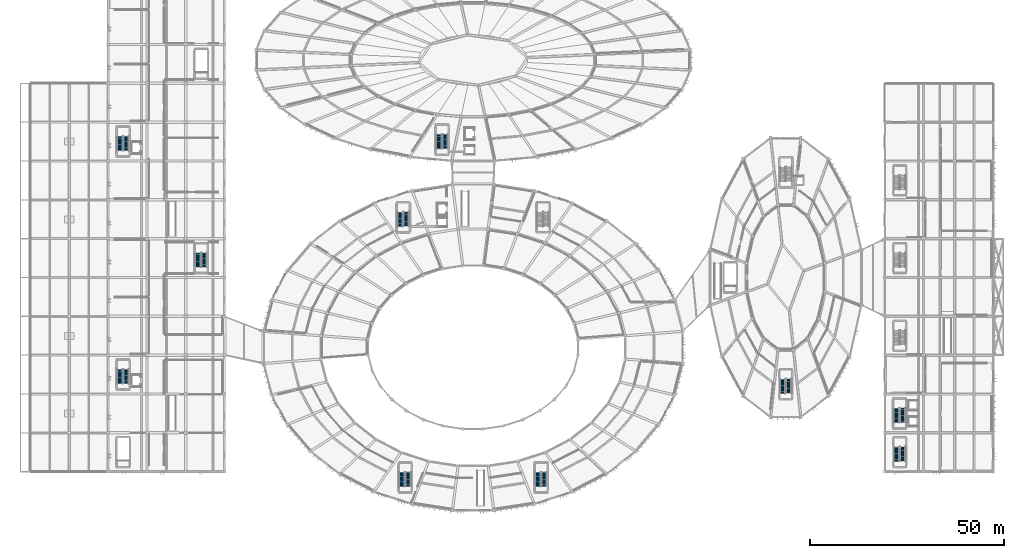
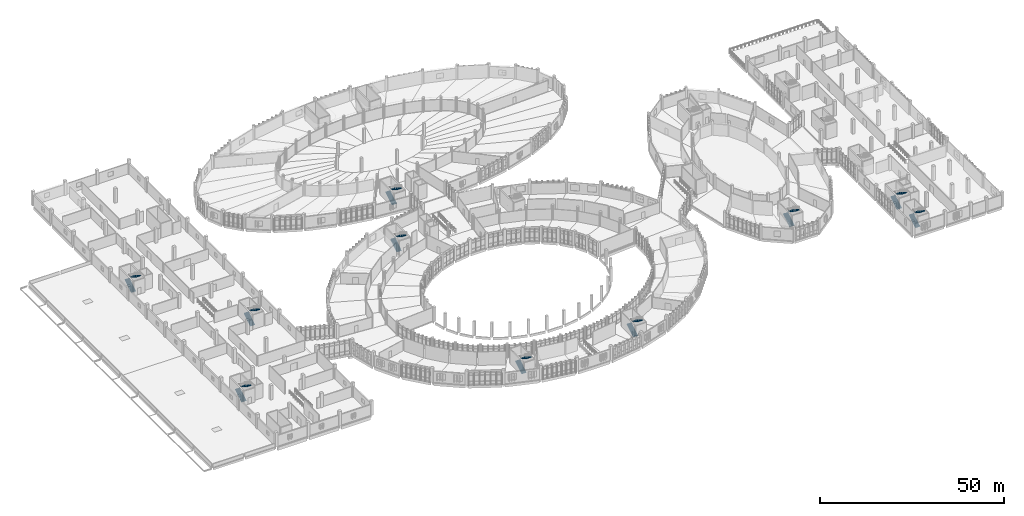
# One storey, part 132 of 179: 20 stair flights, 10 elements without a shape of their own.
"""IFC4 building model written with IfcOpenShell, lengths in metres."""

from ifc_helpers import new_model, si_unit, direction, frame, origin, place, context, subcontext, project, spatial, polyline, outline, extrude, material, layer, layer_set, type_object, element, aggregate, save


model = new_model("IFC4")

# Units and contexts
model_context = context("Model", 3, precision=1e-05, world=origin(), true_north=direction((0.0, 1.0)))
body_context = subcontext(model_context, "Body", "Model", "MODEL_VIEW")
ifc_project = project(units=[si_unit("LENGTHUNIT", "METRE"), si_unit("AREAUNIT", "SQUARE_METRE"), si_unit("VOLUMEUNIT", "CUBIC_METRE"), si_unit("PLANEANGLEUNIT", "RADIAN"), si_unit("MASSUNIT", "GRAM", prefix="KILO")], contexts=[model_context])

# Site, building, storey
site_placement = place(None, origin())
site = spatial("IfcSite", under=ifc_project, at=site_placement, CompositionType="ELEMENT")
building_placement = place(site_placement, origin())
building = spatial("IfcBuilding", under=site, at=building_placement, Name="Corvandel Quay Wholesale Market", CompositionType="ELEMENT")
storey_placement = place(building_placement, frame((0.0, 0.0, 6.0)))
storey = spatial("IfcBuildingStorey", under=building, at=storey_placement, Name="L01", CompositionType="ELEMENT", Elevation=6.0)

# Stair, stair flights
ifc_material = material(Name="Concrete C40/50", Category="concrete")
stair_type = type_object("IfcStairType", Name="Exit Stair Two-Return L01-L02 ST02", PredefinedType="USERDEFINED", material=ifc_material)
stair_1_placement = place(storey_placement, origin())
stair_1 = element("IfcStair", 1, at=stair_1_placement, inside=storey, type_object=stair_type, Name="Exit Stair STR-002", ObjectType="TWO_RETURN_STAIR", PredefinedType="USERDEFINED")
ifc_layer = layer(ifc_material, 0.199951171875)
ifc_layer_set = layer_set([ifc_layer], Name="Concrete C40/50")
stair_flight_type = type_object("IfcStairFlightType", Name="Precast Stair Flight FL02 W1480", PredefinedType="STRAIGHT", material=ifc_layer_set)
stair_flight_1_placement = place(storey_placement, frame((95.199951171875, 73.14990234375, 0.0), z_axis=(0.0, 0.0, 1.0), x_axis=(0.0, 1.0, 0.0)))
stair_flight_1 = element("IfcStairFlight", 2, at=stair_flight_1_placement, type_object=stair_flight_type, Name="Stair Flight STR-002-F1", NumberOfRisers=14, NumberOfTreads=13, PredefinedType="STRAIGHT", RiserHeight=0.171429, TreadLength=0.28, context=body_context, shape_type="SweptSolid", body=[
    extrude(outline(polyline([(0.0, 0.0), (0.0, 0.17138671875), (0.280029296875, 0.17138671875), (0.280029296875, 0.3427734375), (0.56005859375, 0.3427734375), (0.56005859375, 0.514404296875), (0.840087890625, 0.514404296875), (0.840087890625, 0.685791015625), (1.1201171875, 0.685791015625), (1.1201171875, 0.857177734375), (1.39990234375, 0.857177734375), (1.39990234375, 1.028564453125), (1.679931640625, 1.028564453125), (1.679931640625, 1.199951171875), (1.9599609375, 1.199951171875), (1.9599609375, 1.371337890625), (2.239990234375, 1.371337890625), (2.239990234375, 1.54296875), (2.52001953125, 1.54296875), (2.52001953125, 1.71435546875), (2.800048828125, 1.71435546875), (2.800048828125, 1.8857421875), (3.080078125, 1.8857421875), (3.080078125, 2.05712890625), (3.360107421875, 2.05712890625), (3.360107421875, 2.228515625), (3.639892578125, 2.228515625), (3.639892578125, 2.39990234375), (3.639892578125, 2.052734375), (0.287109375, 0.0), (0.0, 0.0)])), frame((0.0, 0.739990234375, 0.0), z_axis=(0.0, -1.0, 0.0), x_axis=(1.0, 0.0, 0.0)), (0.0, 0.0, 1.0), 1.47998046875),
])
stair_flight_2_placement = place(storey_placement, frame((96.800048828125, 76.860107421875, 2.39990234375), z_axis=(0.0, 0.0, 1.0), x_axis=(0.0, -1.0, 0.0)))
stair_flight_2 = element("IfcStairFlight", 3, at=stair_flight_2_placement, type_object=stair_flight_type, Name="Stair Flight STR-002-F2", NumberOfRisers=14, NumberOfTreads=13, PredefinedType="STRAIGHT", RiserHeight=0.171429, TreadLength=0.28, context=body_context, shape_type="SweptSolid", body=[
    extrude(outline(polyline([(0.0, 0.0), (0.0, 0.17138671875), (0.280029296875, 0.17138671875), (0.280029296875, 0.3427734375), (0.56005859375, 0.3427734375), (0.56005859375, 0.514404296875), (0.840087890625, 0.514404296875), (0.840087890625, 0.685791015625), (1.1201171875, 0.685791015625), (1.1201171875, 0.857177734375), (1.39990234375, 0.857177734375), (1.39990234375, 1.028564453125), (1.679931640625, 1.028564453125), (1.679931640625, 1.199951171875), (1.9599609375, 1.199951171875), (1.9599609375, 1.371337890625), (2.239990234375, 1.371337890625), (2.239990234375, 1.54296875), (2.52001953125, 1.54296875), (2.52001953125, 1.71435546875), (2.800048828125, 1.71435546875), (2.800048828125, 1.8857421875), (3.080078125, 1.8857421875), (3.080078125, 2.05712890625), (3.360107421875, 2.05712890625), (3.360107421875, 2.228515625), (3.639892578125, 2.228515625), (3.639892578125, 2.39990234375), (3.639892578125, 2.052734375), (0.287109375, 0.0), (0.0, 0.0)])), frame((0.0, 0.739990234375, 0.0), z_axis=(0.0, -1.0, 0.0), x_axis=(1.0, 0.0, 0.0)), (0.0, 0.0, 1.0), 1.47998046875),
])
aggregate(stair_1, [stair_flight_1, stair_flight_2])

stair_2_placement = place(storey_placement, origin())
stair_2 = element("IfcStair", 4, at=stair_2_placement, inside=storey, type_object=stair_type, Name="Exit Stair STR-006", ObjectType="TWO_RETURN_STAIR", PredefinedType="USERDEFINED")
stair_flight_3_placement = place(storey_placement, frame((95.699951171875, 6.14990234375, 0.0), z_axis=(0.0, 0.0, 1.0), x_axis=(0.0, 1.0, 0.0)))
stair_flight_3 = element("IfcStairFlight", 5, at=stair_flight_3_placement, type_object=stair_flight_type, Name="Stair Flight STR-006-F1", NumberOfRisers=14, NumberOfTreads=13, PredefinedType="STRAIGHT", RiserHeight=0.171429, TreadLength=0.28, context=body_context, shape_type="SweptSolid", body=[
    extrude(outline(polyline([(0.0, 0.0), (0.0, 0.17138671875), (0.280029296875, 0.17138671875), (0.280029296875, 0.3427734375), (0.56005859375, 0.3427734375), (0.56005859375, 0.514404296875), (0.840087890625, 0.514404296875), (0.840087890625, 0.685791015625), (1.1201171875, 0.685791015625), (1.1201171875, 0.857177734375), (1.39990234375, 0.857177734375), (1.39990234375, 1.028564453125), (1.679931640625, 1.028564453125), (1.679931640625, 1.199951171875), (1.9599609375, 1.199951171875), (1.9599609375, 1.371337890625), (2.239990234375, 1.371337890625), (2.239990234375, 1.54296875), (2.52001953125, 1.54296875), (2.52001953125, 1.71435546875), (2.800048828125, 1.71435546875), (2.800048828125, 1.8857421875), (3.080078125, 1.8857421875), (3.080078125, 2.05712890625), (3.360107421875, 2.05712890625), (3.360107421875, 2.228515625), (3.639892578125, 2.228515625), (3.639892578125, 2.39990234375), (3.639892578125, 2.052734375), (0.287109375, 0.0), (0.0, 0.0)])), frame((0.0, 0.739990234375, 0.0), z_axis=(0.0, -1.0, 0.0), x_axis=(1.0, 0.0, 0.0)), (0.0, 0.0, 1.0), 1.47998046875),
])
stair_flight_4_placement = place(storey_placement, frame((97.300048828125, 9.860107421875, 2.39990234375), z_axis=(0.0, 0.0, 1.0), x_axis=(0.0, -1.0, 0.0)))
stair_flight_4 = element("IfcStairFlight", 6, at=stair_flight_4_placement, type_object=stair_flight_type, Name="Stair Flight STR-006-F2", NumberOfRisers=14, NumberOfTreads=13, PredefinedType="STRAIGHT", RiserHeight=0.171429, TreadLength=0.28, context=body_context, shape_type="SweptSolid", body=[
    extrude(outline(polyline([(0.0, 0.0), (0.0, 0.17138671875), (0.280029296875, 0.17138671875), (0.280029296875, 0.3427734375), (0.56005859375, 0.3427734375), (0.56005859375, 0.514404296875), (0.840087890625, 0.514404296875), (0.840087890625, 0.685791015625), (1.1201171875, 0.685791015625), (1.1201171875, 0.857177734375), (1.39990234375, 0.857177734375), (1.39990234375, 1.028564453125), (1.679931640625, 1.028564453125), (1.679931640625, 1.199951171875), (1.9599609375, 1.199951171875), (1.9599609375, 1.371337890625), (2.239990234375, 1.371337890625), (2.239990234375, 1.54296875), (2.52001953125, 1.54296875), (2.52001953125, 1.71435546875), (2.800048828125, 1.71435546875), (2.800048828125, 1.8857421875), (3.080078125, 1.8857421875), (3.080078125, 2.05712890625), (3.360107421875, 2.05712890625), (3.360107421875, 2.228515625), (3.639892578125, 2.228515625), (3.639892578125, 2.39990234375), (3.639892578125, 2.052734375), (0.287109375, 0.0), (0.0, 0.0)])), frame((0.0, 0.739990234375, 0.0), z_axis=(0.0, -1.0, 0.0), x_axis=(1.0, 0.0, 0.0)), (0.0, 0.0, 1.0), 1.47998046875),
])
aggregate(stair_2, [stair_flight_3, stair_flight_4])

stair_3_placement = place(storey_placement, origin())
stair_3 = element("IfcStair", 7, at=stair_3_placement, inside=storey, type_object=stair_type, Name="Exit Stair STR-008", ObjectType="TWO_RETURN_STAIR", PredefinedType="USERDEFINED")
stair_flight_5_placement = place(storey_placement, frame((130.699951171875, 6.14990234375, 0.0), z_axis=(0.0, 0.0, 1.0), x_axis=(0.0, 1.0, 0.0)))
stair_flight_5 = element("IfcStairFlight", 8, at=stair_flight_5_placement, type_object=stair_flight_type, Name="Stair Flight STR-008-F1", NumberOfRisers=14, NumberOfTreads=13, PredefinedType="STRAIGHT", RiserHeight=0.171429, TreadLength=0.28, context=body_context, shape_type="SweptSolid", body=[
    extrude(outline(polyline([(0.0, 0.0), (0.0, 0.17138671875), (0.280029296875, 0.17138671875), (0.280029296875, 0.3427734375), (0.56005859375, 0.3427734375), (0.56005859375, 0.514404296875), (0.840087890625, 0.514404296875), (0.840087890625, 0.685791015625), (1.1201171875, 0.685791015625), (1.1201171875, 0.857177734375), (1.39990234375, 0.857177734375), (1.39990234375, 1.028564453125), (1.679931640625, 1.028564453125), (1.679931640625, 1.199951171875), (1.9599609375, 1.199951171875), (1.9599609375, 1.371337890625), (2.239990234375, 1.371337890625), (2.239990234375, 1.54296875), (2.52001953125, 1.54296875), (2.52001953125, 1.71435546875), (2.800048828125, 1.71435546875), (2.800048828125, 1.8857421875), (3.080078125, 1.8857421875), (3.080078125, 2.05712890625), (3.360107421875, 2.05712890625), (3.360107421875, 2.228515625), (3.639892578125, 2.228515625), (3.639892578125, 2.39990234375), (3.639892578125, 2.052734375), (0.287109375, 0.0), (0.0, 0.0)])), frame((0.0, 0.739990234375, 0.0), z_axis=(0.0, -1.0, 0.0), x_axis=(1.0, 0.0, 0.0)), (0.0, 0.0, 1.0), 1.47998046875),
])
stair_flight_6_placement = place(storey_placement, frame((132.300048828125, 9.860107421875, 2.39990234375), z_axis=(0.0, 0.0, 1.0), x_axis=(0.0, -1.0, 0.0)))
stair_flight_6 = element("IfcStairFlight", 9, at=stair_flight_6_placement, type_object=stair_flight_type, Name="Stair Flight STR-008-F2", NumberOfRisers=14, NumberOfTreads=13, PredefinedType="STRAIGHT", RiserHeight=0.171429, TreadLength=0.28, context=body_context, shape_type="SweptSolid", body=[
    extrude(outline(polyline([(0.0, 0.0), (0.0, 0.17138671875), (0.280029296875, 0.17138671875), (0.280029296875, 0.3427734375), (0.56005859375, 0.3427734375), (0.56005859375, 0.514404296875), (0.840087890625, 0.514404296875), (0.840087890625, 0.685791015625), (1.1201171875, 0.685791015625), (1.1201171875, 0.857177734375), (1.39990234375, 0.857177734375), (1.39990234375, 1.028564453125), (1.679931640625, 1.028564453125), (1.679931640625, 1.199951171875), (1.9599609375, 1.199951171875), (1.9599609375, 1.371337890625), (2.239990234375, 1.371337890625), (2.239990234375, 1.54296875), (2.52001953125, 1.54296875), (2.52001953125, 1.71435546875), (2.800048828125, 1.71435546875), (2.800048828125, 1.8857421875), (3.080078125, 1.8857421875), (3.080078125, 2.05712890625), (3.360107421875, 2.05712890625), (3.360107421875, 2.228515625), (3.639892578125, 2.228515625), (3.639892578125, 2.39990234375), (3.639892578125, 2.052734375), (0.287109375, 0.0), (0.0, 0.0)])), frame((0.0, 0.739990234375, 0.0), z_axis=(0.0, -1.0, 0.0), x_axis=(1.0, 0.0, 0.0)), (0.0, 0.0, 1.0), 1.47998046875),
])
aggregate(stair_3, [stair_flight_5, stair_flight_6])

stair_4_placement = place(storey_placement, origin())
stair_4 = element("IfcStair", 10, at=stair_4_placement, inside=storey, type_object=stair_type, Name="Exit Stair STR-010", ObjectType="TWO_RETURN_STAIR", PredefinedType="USERDEFINED")
stair_flight_7_placement = place(storey_placement, frame((105.199951171875, 93.14990234375, 0.0), z_axis=(0.0, 0.0, 1.0), x_axis=(0.0, 1.0, 0.0)))
stair_flight_7 = element("IfcStairFlight", 11, at=stair_flight_7_placement, type_object=stair_flight_type, Name="Stair Flight STR-010-F1", NumberOfRisers=14, NumberOfTreads=13, PredefinedType="STRAIGHT", RiserHeight=0.171429, TreadLength=0.28, context=body_context, shape_type="SweptSolid", body=[
    extrude(outline(polyline([(0.0, 0.0), (0.0, 0.17138671875), (0.280029296875, 0.17138671875), (0.280029296875, 0.3427734375), (0.56005859375, 0.3427734375), (0.56005859375, 0.514404296875), (0.840087890625, 0.514404296875), (0.840087890625, 0.685791015625), (1.1201171875, 0.685791015625), (1.1201171875, 0.857177734375), (1.39990234375, 0.857177734375), (1.39990234375, 1.028564453125), (1.679931640625, 1.028564453125), (1.679931640625, 1.199951171875), (1.9599609375, 1.199951171875), (1.9599609375, 1.371337890625), (2.239990234375, 1.371337890625), (2.239990234375, 1.54296875), (2.52001953125, 1.54296875), (2.52001953125, 1.71435546875), (2.800048828125, 1.71435546875), (2.800048828125, 1.8857421875), (3.080078125, 1.8857421875), (3.080078125, 2.05712890625), (3.360107421875, 2.05712890625), (3.360107421875, 2.228515625), (3.639892578125, 2.228515625), (3.639892578125, 2.39990234375), (3.639892578125, 2.052734375), (0.287109375, 0.0), (0.0, 0.0)])), frame((0.0, 0.739990234375, 0.0), z_axis=(0.0, -1.0, 0.0), x_axis=(1.0, 0.0, 0.0)), (0.0, 0.0, 1.0), 1.47998046875),
])
stair_flight_8_placement = place(storey_placement, frame((106.800048828125, 96.860107421875, 2.39990234375), z_axis=(0.0, 0.0, 1.0), x_axis=(0.0, -1.0, 0.0)))
stair_flight_8 = element("IfcStairFlight", 12, at=stair_flight_8_placement, type_object=stair_flight_type, Name="Stair Flight STR-010-F2", NumberOfRisers=14, NumberOfTreads=13, PredefinedType="STRAIGHT", RiserHeight=0.171429, TreadLength=0.28, context=body_context, shape_type="SweptSolid", body=[
    extrude(outline(polyline([(0.0, 0.0), (0.0, 0.17138671875), (0.280029296875, 0.17138671875), (0.280029296875, 0.3427734375), (0.56005859375, 0.3427734375), (0.56005859375, 0.514404296875), (0.840087890625, 0.514404296875), (0.840087890625, 0.685791015625), (1.1201171875, 0.685791015625), (1.1201171875, 0.857177734375), (1.39990234375, 0.857177734375), (1.39990234375, 1.028564453125), (1.679931640625, 1.028564453125), (1.679931640625, 1.199951171875), (1.9599609375, 1.199951171875), (1.9599609375, 1.371337890625), (2.239990234375, 1.371337890625), (2.239990234375, 1.54296875), (2.52001953125, 1.54296875), (2.52001953125, 1.71435546875), (2.800048828125, 1.71435546875), (2.800048828125, 1.8857421875), (3.080078125, 1.8857421875), (3.080078125, 2.05712890625), (3.360107421875, 2.05712890625), (3.360107421875, 2.228515625), (3.639892578125, 2.228515625), (3.639892578125, 2.39990234375), (3.639892578125, 2.052734375), (0.287109375, 0.0), (0.0, 0.0)])), frame((0.0, 0.739990234375, 0.0), z_axis=(0.0, -1.0, 0.0), x_axis=(1.0, 0.0, 0.0)), (0.0, 0.0, 1.0), 1.47998046875),
])
aggregate(stair_4, [stair_flight_7, stair_flight_8])

stair_5_placement = place(storey_placement, origin())
stair_5 = element("IfcStair", 13, at=stair_5_placement, inside=storey, type_object=stair_type, Name="Exit Stair STR-016", ObjectType="TWO_RETURN_STAIR", PredefinedType="USERDEFINED")
stair_flight_9_placement = place(storey_placement, frame((193.699951171875, 30.14990234375, 0.0), z_axis=(0.0, 0.0, 1.0), x_axis=(0.0, 1.0, 0.0)))
stair_flight_9 = element("IfcStairFlight", 14, at=stair_flight_9_placement, type_object=stair_flight_type, Name="Stair Flight STR-016-F1", NumberOfRisers=14, NumberOfTreads=13, PredefinedType="STRAIGHT", RiserHeight=0.171429, TreadLength=0.28, context=body_context, shape_type="SweptSolid", body=[
    extrude(outline(polyline([(0.0, 0.0), (0.0, 0.17138671875), (0.280029296875, 0.17138671875), (0.280029296875, 0.3427734375), (0.56005859375, 0.3427734375), (0.56005859375, 0.514404296875), (0.840087890625, 0.514404296875), (0.840087890625, 0.685791015625), (1.1201171875, 0.685791015625), (1.1201171875, 0.857177734375), (1.39990234375, 0.857177734375), (1.39990234375, 1.028564453125), (1.679931640625, 1.028564453125), (1.679931640625, 1.199951171875), (1.9599609375, 1.199951171875), (1.9599609375, 1.371337890625), (2.239990234375, 1.371337890625), (2.239990234375, 1.54296875), (2.52001953125, 1.54296875), (2.52001953125, 1.71435546875), (2.800048828125, 1.71435546875), (2.800048828125, 1.8857421875), (3.080078125, 1.8857421875), (3.080078125, 2.05712890625), (3.360107421875, 2.05712890625), (3.360107421875, 2.228515625), (3.639892578125, 2.228515625), (3.639892578125, 2.39990234375), (3.639892578125, 2.052734375), (0.287109375, 0.0), (0.0, 0.0)])), frame((0.0, 0.739990234375, 0.0), z_axis=(0.0, -1.0, 0.0), x_axis=(1.0, 0.0, 0.0)), (0.0, 0.0, 1.0), 1.47998046875),
])
stair_flight_10_placement = place(storey_placement, frame((195.300048828125, 33.860107421875, 2.39990234375), z_axis=(0.0, 0.0, 1.0), x_axis=(0.0, -1.0, 0.0)))
stair_flight_10 = element("IfcStairFlight", 15, at=stair_flight_10_placement, type_object=stair_flight_type, Name="Stair Flight STR-016-F2", NumberOfRisers=14, NumberOfTreads=13, PredefinedType="STRAIGHT", RiserHeight=0.171429, TreadLength=0.28, context=body_context, shape_type="SweptSolid", body=[
    extrude(outline(polyline([(0.0, 0.0), (0.0, 0.17138671875), (0.280029296875, 0.17138671875), (0.280029296875, 0.3427734375), (0.56005859375, 0.3427734375), (0.56005859375, 0.514404296875), (0.840087890625, 0.514404296875), (0.840087890625, 0.685791015625), (1.1201171875, 0.685791015625), (1.1201171875, 0.857177734375), (1.39990234375, 0.857177734375), (1.39990234375, 1.028564453125), (1.679931640625, 1.028564453125), (1.679931640625, 1.199951171875), (1.9599609375, 1.199951171875), (1.9599609375, 1.371337890625), (2.239990234375, 1.371337890625), (2.239990234375, 1.54296875), (2.52001953125, 1.54296875), (2.52001953125, 1.71435546875), (2.800048828125, 1.71435546875), (2.800048828125, 1.8857421875), (3.080078125, 1.8857421875), (3.080078125, 2.05712890625), (3.360107421875, 2.05712890625), (3.360107421875, 2.228515625), (3.639892578125, 2.228515625), (3.639892578125, 2.39990234375), (3.639892578125, 2.052734375), (0.287109375, 0.0), (0.0, 0.0)])), frame((0.0, 0.739990234375, 0.0), z_axis=(0.0, -1.0, 0.0), x_axis=(1.0, 0.0, 0.0)), (0.0, 0.0, 1.0), 1.47998046875),
])
aggregate(stair_5, [stair_flight_9, stair_flight_10])

stair_6_placement = place(storey_placement, origin())
stair_6 = element("IfcStair", 16, at=stair_6_placement, inside=storey, type_object=stair_type, Name="Exit Stair STR-019", ObjectType="TWO_RETURN_STAIR", PredefinedType="USERDEFINED")
stair_flight_11_placement = place(storey_placement, frame((23.050048828125, 32.64990234375, 0.0), z_axis=(0.0, 0.0, 1.0), x_axis=(0.0, 1.0, 0.0)))
stair_flight_11 = element("IfcStairFlight", 17, at=stair_flight_11_placement, type_object=stair_flight_type, Name="Stair Flight STR-019-F1", NumberOfRisers=14, NumberOfTreads=13, PredefinedType="STRAIGHT", RiserHeight=0.171429, TreadLength=0.28, context=body_context, shape_type="SweptSolid", body=[
    extrude(outline(polyline([(0.0, 0.0), (0.0, 0.17138671875), (0.280029296875, 0.17138671875), (0.280029296875, 0.3427734375), (0.56005859375, 0.3427734375), (0.56005859375, 0.514404296875), (0.840087890625, 0.514404296875), (0.840087890625, 0.685791015625), (1.1201171875, 0.685791015625), (1.1201171875, 0.857177734375), (1.39990234375, 0.857177734375), (1.39990234375, 1.028564453125), (1.679931640625, 1.028564453125), (1.679931640625, 1.199951171875), (1.9599609375, 1.199951171875), (1.9599609375, 1.371337890625), (2.239990234375, 1.371337890625), (2.239990234375, 1.54296875), (2.52001953125, 1.54296875), (2.52001953125, 1.71435546875), (2.800048828125, 1.71435546875), (2.800048828125, 1.8857421875), (3.080078125, 1.8857421875), (3.080078125, 2.05712890625), (3.360107421875, 2.05712890625), (3.360107421875, 2.228515625), (3.639892578125, 2.228515625), (3.639892578125, 2.39990234375), (3.639892578125, 2.052734375), (0.287109375, 0.0), (0.0, 0.0)])), frame((0.0, 0.739990234375, 0.0), z_axis=(0.0, -1.0, 0.0), x_axis=(1.0, 0.0, 0.0)), (0.0, 0.0, 1.0), 1.47998046875),
])
stair_flight_12_placement = place(storey_placement, frame((24.64990234375, 36.360107421875, 2.39990234375), z_axis=(0.0, 0.0, 1.0), x_axis=(0.0, -1.0, 0.0)))
stair_flight_12 = element("IfcStairFlight", 18, at=stair_flight_12_placement, type_object=stair_flight_type, Name="Stair Flight STR-019-F2", NumberOfRisers=14, NumberOfTreads=13, PredefinedType="STRAIGHT", RiserHeight=0.171429, TreadLength=0.28, context=body_context, shape_type="SweptSolid", body=[
    extrude(outline(polyline([(0.0, 0.0), (0.0, 0.17138671875), (0.280029296875, 0.17138671875), (0.280029296875, 0.3427734375), (0.56005859375, 0.3427734375), (0.56005859375, 0.514404296875), (0.840087890625, 0.514404296875), (0.840087890625, 0.685791015625), (1.1201171875, 0.685791015625), (1.1201171875, 0.857177734375), (1.39990234375, 0.857177734375), (1.39990234375, 1.028564453125), (1.679931640625, 1.028564453125), (1.679931640625, 1.199951171875), (1.9599609375, 1.199951171875), (1.9599609375, 1.371337890625), (2.239990234375, 1.371337890625), (2.239990234375, 1.54296875), (2.52001953125, 1.54296875), (2.52001953125, 1.71435546875), (2.800048828125, 1.71435546875), (2.800048828125, 1.8857421875), (3.080078125, 1.8857421875), (3.080078125, 2.05712890625), (3.360107421875, 2.05712890625), (3.360107421875, 2.228515625), (3.639892578125, 2.228515625), (3.639892578125, 2.39990234375), (3.639892578125, 2.052734375), (0.287109375, 0.0), (0.0, 0.0)])), frame((0.0, 0.739990234375, 0.0), z_axis=(0.0, -1.0, 0.0), x_axis=(1.0, 0.0, 0.0)), (0.0, 0.0, 1.0), 1.47998046875),
])
aggregate(stair_6, [stair_flight_11, stair_flight_12])

stair_7_placement = place(storey_placement, origin())
stair_7 = element("IfcStair", 19, at=stair_7_placement, inside=storey, type_object=stair_type, Name="Exit Stair STR-021", ObjectType="TWO_RETURN_STAIR", PredefinedType="USERDEFINED")
stair_flight_13_placement = place(storey_placement, frame((23.050048828125, 92.64990234375, 0.0), z_axis=(0.0, 0.0, 1.0), x_axis=(0.0, 1.0, 0.0)))
stair_flight_13 = element("IfcStairFlight", 20, at=stair_flight_13_placement, type_object=stair_flight_type, Name="Stair Flight STR-021-F1", NumberOfRisers=14, NumberOfTreads=13, PredefinedType="STRAIGHT", RiserHeight=0.171429, TreadLength=0.28, context=body_context, shape_type="SweptSolid", body=[
    extrude(outline(polyline([(0.0, 0.0), (0.0, 0.17138671875), (0.280029296875, 0.17138671875), (0.280029296875, 0.3427734375), (0.56005859375, 0.3427734375), (0.56005859375, 0.514404296875), (0.840087890625, 0.514404296875), (0.840087890625, 0.685791015625), (1.1201171875, 0.685791015625), (1.1201171875, 0.857177734375), (1.39990234375, 0.857177734375), (1.39990234375, 1.028564453125), (1.679931640625, 1.028564453125), (1.679931640625, 1.199951171875), (1.9599609375, 1.199951171875), (1.9599609375, 1.371337890625), (2.239990234375, 1.371337890625), (2.239990234375, 1.54296875), (2.52001953125, 1.54296875), (2.52001953125, 1.71435546875), (2.800048828125, 1.71435546875), (2.800048828125, 1.8857421875), (3.080078125, 1.8857421875), (3.080078125, 2.05712890625), (3.360107421875, 2.05712890625), (3.360107421875, 2.228515625), (3.639892578125, 2.228515625), (3.639892578125, 2.39990234375), (3.639892578125, 2.052734375), (0.287109375, 0.0), (0.0, 0.0)])), frame((0.0, 0.739990234375, 0.0), z_axis=(0.0, -1.0, 0.0), x_axis=(1.0, 0.0, 0.0)), (0.0, 0.0, 1.0), 1.47998046875),
])
stair_flight_14_placement = place(storey_placement, frame((24.64990234375, 96.360107421875, 2.39990234375), z_axis=(0.0, 0.0, 1.0), x_axis=(0.0, -1.0, 0.0)))
stair_flight_14 = element("IfcStairFlight", 21, at=stair_flight_14_placement, type_object=stair_flight_type, Name="Stair Flight STR-021-F2", NumberOfRisers=14, NumberOfTreads=13, PredefinedType="STRAIGHT", RiserHeight=0.171429, TreadLength=0.28, context=body_context, shape_type="SweptSolid", body=[
    extrude(outline(polyline([(0.0, 0.0), (0.0, 0.17138671875), (0.280029296875, 0.17138671875), (0.280029296875, 0.3427734375), (0.56005859375, 0.3427734375), (0.56005859375, 0.514404296875), (0.840087890625, 0.514404296875), (0.840087890625, 0.685791015625), (1.1201171875, 0.685791015625), (1.1201171875, 0.857177734375), (1.39990234375, 0.857177734375), (1.39990234375, 1.028564453125), (1.679931640625, 1.028564453125), (1.679931640625, 1.199951171875), (1.9599609375, 1.199951171875), (1.9599609375, 1.371337890625), (2.239990234375, 1.371337890625), (2.239990234375, 1.54296875), (2.52001953125, 1.54296875), (2.52001953125, 1.71435546875), (2.800048828125, 1.71435546875), (2.800048828125, 1.8857421875), (3.080078125, 1.8857421875), (3.080078125, 2.05712890625), (3.360107421875, 2.05712890625), (3.360107421875, 2.228515625), (3.639892578125, 2.228515625), (3.639892578125, 2.39990234375), (3.639892578125, 2.052734375), (0.287109375, 0.0), (0.0, 0.0)])), frame((0.0, 0.739990234375, 0.0), z_axis=(0.0, -1.0, 0.0), x_axis=(1.0, 0.0, 0.0)), (0.0, 0.0, 1.0), 1.47998046875),
])
aggregate(stair_7, [stair_flight_13, stair_flight_14])

stair_8_placement = place(storey_placement, origin())
stair_8 = element("IfcStair", 22, at=stair_8_placement, inside=storey, type_object=stair_type, Name="Exit Stair STR-023", ObjectType="TWO_RETURN_STAIR", PredefinedType="USERDEFINED")
stair_flight_15_placement = place(storey_placement, frame((43.14990234375, 62.64990234375, 0.0), z_axis=(0.0, 0.0, 1.0), x_axis=(0.0, 1.0, 0.0)))
stair_flight_15 = element("IfcStairFlight", 23, at=stair_flight_15_placement, type_object=stair_flight_type, Name="Stair Flight STR-023-F1", NumberOfRisers=14, NumberOfTreads=13, PredefinedType="STRAIGHT", RiserHeight=0.171429, TreadLength=0.28, context=body_context, shape_type="SweptSolid", body=[
    extrude(outline(polyline([(0.0, 0.0), (0.0, 0.17138671875), (0.280029296875, 0.17138671875), (0.280029296875, 0.3427734375), (0.56005859375, 0.3427734375), (0.56005859375, 0.514404296875), (0.840087890625, 0.514404296875), (0.840087890625, 0.685791015625), (1.1201171875, 0.685791015625), (1.1201171875, 0.857177734375), (1.39990234375, 0.857177734375), (1.39990234375, 1.028564453125), (1.679931640625, 1.028564453125), (1.679931640625, 1.199951171875), (1.9599609375, 1.199951171875), (1.9599609375, 1.371337890625), (2.239990234375, 1.371337890625), (2.239990234375, 1.54296875), (2.52001953125, 1.54296875), (2.52001953125, 1.71435546875), (2.800048828125, 1.71435546875), (2.800048828125, 1.8857421875), (3.080078125, 1.8857421875), (3.080078125, 2.05712890625), (3.360107421875, 2.05712890625), (3.360107421875, 2.228515625), (3.639892578125, 2.228515625), (3.639892578125, 2.39990234375), (3.639892578125, 2.052734375), (0.287109375, 0.0), (0.0, 0.0)])), frame((0.0, 0.739990234375, 0.0), z_axis=(0.0, -1.0, 0.0), x_axis=(1.0, 0.0, 0.0)), (0.0, 0.0, 1.0), 1.47998046875),
])
stair_flight_16_placement = place(storey_placement, frame((44.75, 66.360107421875, 2.39990234375), z_axis=(0.0, 0.0, 1.0), x_axis=(0.0, -1.0, 0.0)))
stair_flight_16 = element("IfcStairFlight", 24, at=stair_flight_16_placement, type_object=stair_flight_type, Name="Stair Flight STR-023-F2", NumberOfRisers=14, NumberOfTreads=13, PredefinedType="STRAIGHT", RiserHeight=0.171429, TreadLength=0.28, context=body_context, shape_type="SweptSolid", body=[
    extrude(outline(polyline([(0.0, 0.0), (0.0, 0.17138671875), (0.280029296875, 0.17138671875), (0.280029296875, 0.3427734375), (0.56005859375, 0.3427734375), (0.56005859375, 0.514404296875), (0.840087890625, 0.514404296875), (0.840087890625, 0.685791015625), (1.1201171875, 0.685791015625), (1.1201171875, 0.857177734375), (1.39990234375, 0.857177734375), (1.39990234375, 1.028564453125), (1.679931640625, 1.028564453125), (1.679931640625, 1.199951171875), (1.9599609375, 1.199951171875), (1.9599609375, 1.371337890625), (2.239990234375, 1.371337890625), (2.239990234375, 1.54296875), (2.52001953125, 1.54296875), (2.52001953125, 1.71435546875), (2.800048828125, 1.71435546875), (2.800048828125, 1.8857421875), (3.080078125, 1.8857421875), (3.080078125, 2.05712890625), (3.360107421875, 2.05712890625), (3.360107421875, 2.228515625), (3.639892578125, 2.228515625), (3.639892578125, 2.39990234375), (3.639892578125, 2.052734375), (0.287109375, 0.0), (0.0, 0.0)])), frame((0.0, 0.739990234375, 0.0), z_axis=(0.0, -1.0, 0.0), x_axis=(1.0, 0.0, 0.0)), (0.0, 0.0, 1.0), 1.47998046875),
])
aggregate(stair_8, [stair_flight_15, stair_flight_16])

stair_9_placement = place(storey_placement, origin())
stair_9 = element("IfcStair", 25, at=stair_9_placement, inside=storey, type_object=stair_type, Name="Exit Stair STR-027", ObjectType="TWO_RETURN_STAIR", PredefinedType="USERDEFINED")
stair_flight_17_placement = place(storey_placement, frame((223.050048828125, 22.64990234375, 0.0), z_axis=(0.0, 0.0, 1.0), x_axis=(0.0, 1.0, 0.0)))
stair_flight_17 = element("IfcStairFlight", 26, at=stair_flight_17_placement, type_object=stair_flight_type, Name="Stair Flight STR-027-F1", NumberOfRisers=14, NumberOfTreads=13, PredefinedType="STRAIGHT", RiserHeight=0.171429, TreadLength=0.28, context=body_context, shape_type="SweptSolid", body=[
    extrude(outline(polyline([(0.0, 0.0), (0.0, 0.17138671875), (0.280029296875, 0.17138671875), (0.280029296875, 0.3427734375), (0.56005859375, 0.3427734375), (0.56005859375, 0.514404296875), (0.840087890625, 0.514404296875), (0.840087890625, 0.685791015625), (1.1201171875, 0.685791015625), (1.1201171875, 0.857177734375), (1.39990234375, 0.857177734375), (1.39990234375, 1.028564453125), (1.679931640625, 1.028564453125), (1.679931640625, 1.199951171875), (1.9599609375, 1.199951171875), (1.9599609375, 1.371337890625), (2.239990234375, 1.371337890625), (2.239990234375, 1.54296875), (2.52001953125, 1.54296875), (2.52001953125, 1.71435546875), (2.800048828125, 1.71435546875), (2.800048828125, 1.8857421875), (3.080078125, 1.8857421875), (3.080078125, 2.05712890625), (3.360107421875, 2.05712890625), (3.360107421875, 2.228515625), (3.639892578125, 2.228515625), (3.639892578125, 2.39990234375), (3.639892578125, 2.052734375), (0.287109375, 0.0), (0.0, 0.0)])), frame((0.0, 0.739990234375, 0.0), z_axis=(0.0, -1.0, 0.0), x_axis=(1.0, 0.0, 0.0)), (0.0, 0.0, 1.0), 1.47998046875),
])
stair_flight_18_placement = place(storey_placement, frame((224.64990234375, 26.360107421875, 2.39990234375), z_axis=(0.0, 0.0, 1.0), x_axis=(0.0, -1.0, 0.0)))
stair_flight_18 = element("IfcStairFlight", 27, at=stair_flight_18_placement, type_object=stair_flight_type, Name="Stair Flight STR-027-F2", NumberOfRisers=14, NumberOfTreads=13, PredefinedType="STRAIGHT", RiserHeight=0.171429, TreadLength=0.28, context=body_context, shape_type="SweptSolid", body=[
    extrude(outline(polyline([(0.0, 0.0), (0.0, 0.17138671875), (0.280029296875, 0.17138671875), (0.280029296875, 0.3427734375), (0.56005859375, 0.3427734375), (0.56005859375, 0.514404296875), (0.840087890625, 0.514404296875), (0.840087890625, 0.685791015625), (1.1201171875, 0.685791015625), (1.1201171875, 0.857177734375), (1.39990234375, 0.857177734375), (1.39990234375, 1.028564453125), (1.679931640625, 1.028564453125), (1.679931640625, 1.199951171875), (1.9599609375, 1.199951171875), (1.9599609375, 1.371337890625), (2.239990234375, 1.371337890625), (2.239990234375, 1.54296875), (2.52001953125, 1.54296875), (2.52001953125, 1.71435546875), (2.800048828125, 1.71435546875), (2.800048828125, 1.8857421875), (3.080078125, 1.8857421875), (3.080078125, 2.05712890625), (3.360107421875, 2.05712890625), (3.360107421875, 2.228515625), (3.639892578125, 2.228515625), (3.639892578125, 2.39990234375), (3.639892578125, 2.052734375), (0.287109375, 0.0), (0.0, 0.0)])), frame((0.0, 0.739990234375, 0.0), z_axis=(0.0, -1.0, 0.0), x_axis=(1.0, 0.0, 0.0)), (0.0, 0.0, 1.0), 1.47998046875),
])
aggregate(stair_9, [stair_flight_17, stair_flight_18])

stair_10_placement = place(storey_placement, origin())
stair_10 = element("IfcStair", 28, at=stair_10_placement, inside=storey, type_object=stair_type, Name="Exit Stair STR-036", ObjectType="TWO_RETURN_STAIR", PredefinedType="USERDEFINED")
stair_flight_19_placement = place(storey_placement, frame((223.050048828125, 12.64990234375, 0.0), z_axis=(0.0, 0.0, 1.0), x_axis=(0.0, 1.0, 0.0)))
stair_flight_19 = element("IfcStairFlight", 29, at=stair_flight_19_placement, type_object=stair_flight_type, Name="Stair Flight STR-036-F1", NumberOfRisers=14, NumberOfTreads=13, PredefinedType="STRAIGHT", RiserHeight=0.171429, TreadLength=0.28, context=body_context, shape_type="SweptSolid", body=[
    extrude(outline(polyline([(0.0, 0.0), (0.0, 0.17138671875), (0.280029296875, 0.17138671875), (0.280029296875, 0.3427734375), (0.56005859375, 0.3427734375), (0.56005859375, 0.514404296875), (0.840087890625, 0.514404296875), (0.840087890625, 0.685791015625), (1.1201171875, 0.685791015625), (1.1201171875, 0.857177734375), (1.39990234375, 0.857177734375), (1.39990234375, 1.028564453125), (1.679931640625, 1.028564453125), (1.679931640625, 1.199951171875), (1.9599609375, 1.199951171875), (1.9599609375, 1.371337890625), (2.239990234375, 1.371337890625), (2.239990234375, 1.54296875), (2.52001953125, 1.54296875), (2.52001953125, 1.71435546875), (2.800048828125, 1.71435546875), (2.800048828125, 1.8857421875), (3.080078125, 1.8857421875), (3.080078125, 2.05712890625), (3.360107421875, 2.05712890625), (3.360107421875, 2.228515625), (3.639892578125, 2.228515625), (3.639892578125, 2.39990234375), (3.639892578125, 2.052734375), (0.287109375, 0.0), (0.0, 0.0)])), frame((0.0, 0.739990234375, 0.0), z_axis=(0.0, -1.0, 0.0), x_axis=(1.0, 0.0, 0.0)), (0.0, 0.0, 1.0), 1.47998046875),
])
stair_flight_20_placement = place(storey_placement, frame((224.64990234375, 16.360107421875, 2.39990234375), z_axis=(0.0, 0.0, 1.0), x_axis=(0.0, -1.0, 0.0)))
stair_flight_20 = element("IfcStairFlight", 30, at=stair_flight_20_placement, type_object=stair_flight_type, Name="Stair Flight STR-036-F2", NumberOfRisers=14, NumberOfTreads=13, PredefinedType="STRAIGHT", RiserHeight=0.171429, TreadLength=0.28, context=body_context, shape_type="SweptSolid", body=[
    extrude(outline(polyline([(0.0, 0.0), (0.0, 0.17138671875), (0.280029296875, 0.17138671875), (0.280029296875, 0.3427734375), (0.56005859375, 0.3427734375), (0.56005859375, 0.514404296875), (0.840087890625, 0.514404296875), (0.840087890625, 0.685791015625), (1.1201171875, 0.685791015625), (1.1201171875, 0.857177734375), (1.39990234375, 0.857177734375), (1.39990234375, 1.028564453125), (1.679931640625, 1.028564453125), (1.679931640625, 1.199951171875), (1.9599609375, 1.199951171875), (1.9599609375, 1.371337890625), (2.239990234375, 1.371337890625), (2.239990234375, 1.54296875), (2.52001953125, 1.54296875), (2.52001953125, 1.71435546875), (2.800048828125, 1.71435546875), (2.800048828125, 1.8857421875), (3.080078125, 1.8857421875), (3.080078125, 2.05712890625), (3.360107421875, 2.05712890625), (3.360107421875, 2.228515625), (3.639892578125, 2.228515625), (3.639892578125, 2.39990234375), (3.639892578125, 2.052734375), (0.287109375, 0.0), (0.0, 0.0)])), frame((0.0, 0.739990234375, 0.0), z_axis=(0.0, -1.0, 0.0), x_axis=(1.0, 0.0, 0.0)), (0.0, 0.0, 1.0), 1.47998046875),
])
aggregate(stair_10, [stair_flight_19, stair_flight_20])

save(model, "model.ifc")
